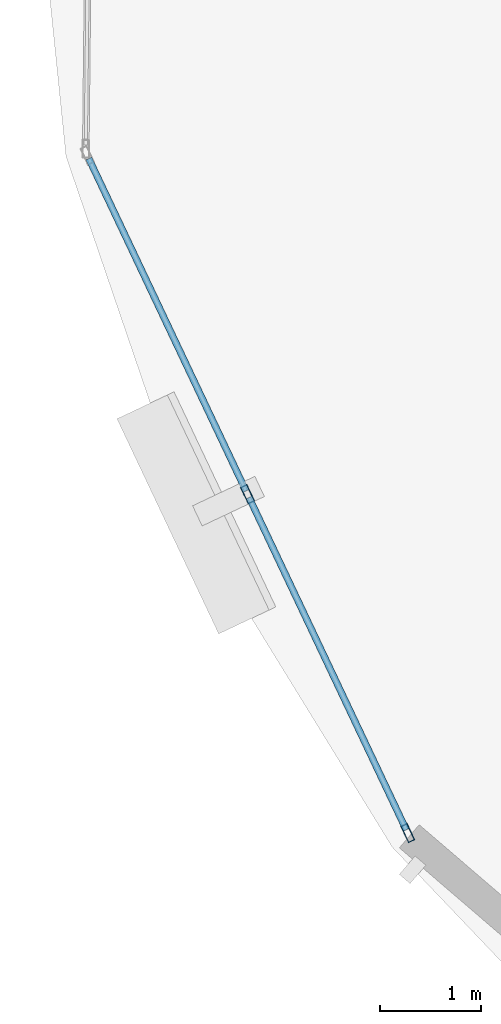
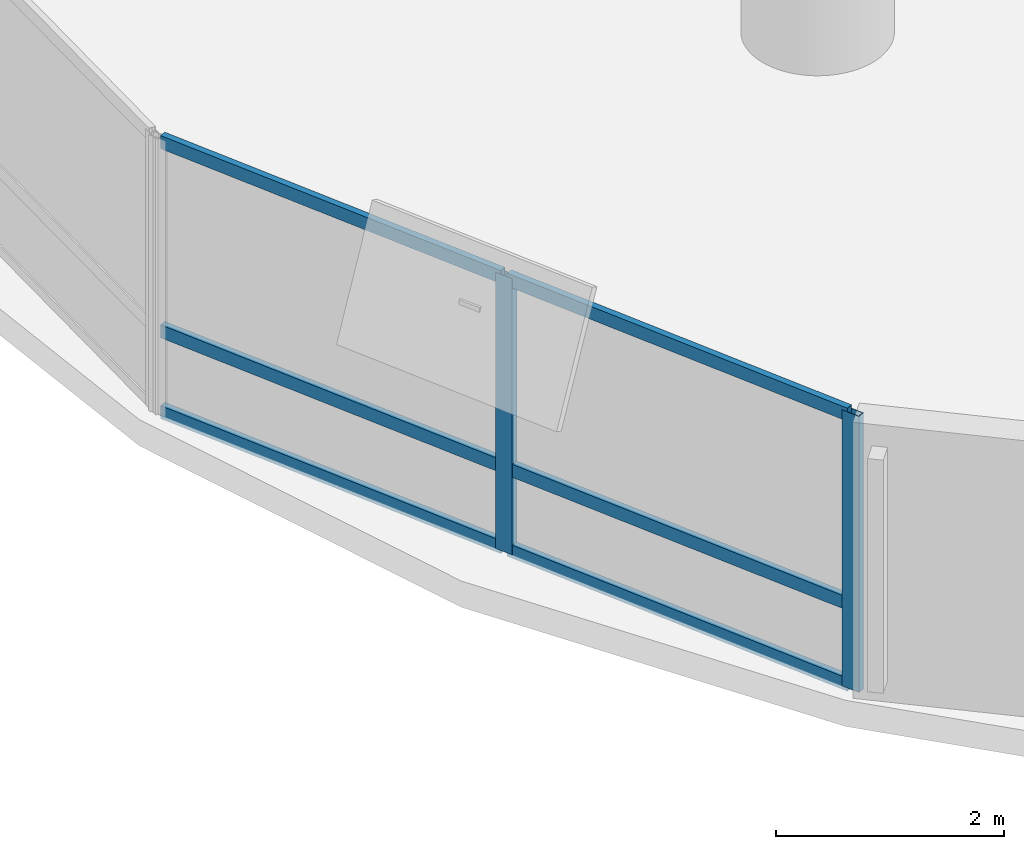
# One storey, part 2 of 17: 8 members, 1 element without a shape of its own.
"""IFC4 building model written with IfcOpenShell, lengths in metres."""

from ifc_helpers import new_model, si_unit, direction, frame, origin, origin_2d, place, context, subcontext, project, spatial, hollow_rectangle, extrude, material, layer, layer_set, material_profile, profile_set, type_object, element, aggregate, save


model = new_model("IFC4")

# Units and contexts
model_context = context("Model", 3, precision=1e-05, world=origin(), true_north=direction((0.0, 1.0)))
body_context = subcontext(model_context, "Body", "Model", "MODEL_VIEW")
ifc_project = project(units=[si_unit("LENGTHUNIT", "METRE"), si_unit("AREAUNIT", "SQUARE_METRE"), si_unit("VOLUMEUNIT", "CUBIC_METRE"), si_unit("PLANEANGLEUNIT", "RADIAN"), si_unit("MASSUNIT", "GRAM", prefix="KILO"), si_unit("THERMODYNAMICTEMPERATUREUNIT", "KELVIN"), si_unit("POWERUNIT", "WATT")], contexts=[model_context])

# Site, building, storey
site_placement = place(None, origin())
site = spatial("IfcSite", under=ifc_project, at=site_placement, CompositionType="ELEMENT")
building_placement = place(site_placement, origin())
building = spatial("IfcBuilding", under=site, at=building_placement, Name="Ocrelia Relay Tower", CompositionType="ELEMENT")
storey_placement = place(building_placement, frame((0.0, 0.0, 84.60009765625)))
storey = spatial("IfcBuildingStorey", under=building, at=storey_placement, Name="L19", CompositionType="ELEMENT", Elevation=84.60009765625)

# Curtain wall, members
ifc_material_1 = material(Name="Aluminium and solar-control low-E glass", Category="aluminium")
ifc_layer = layer(ifc_material_1, 0.179931640625, Name="Aluminium and solar-control low-E glass")
ifc_layer_set = layer_set([ifc_layer], Name="Aluminium and solar-control low-E glass")
curtain_wall_type = type_object("IfcCurtainWallType", Name="CW-SYS-Z1-DATA", PredefinedType="NOTDEFINED", material=ifc_layer_set)
curtain_wall_placement = place(storey_placement, origin())
curtain_wall = element("IfcCurtainWall", 1, at=curtain_wall_placement, inside=storey, type_object=curtain_wall_type, Name="L19 Elliptical Tower Curtain Wall Bay 10", PredefinedType="NOTDEFINED")
ifc_material_2 = material(Name="Anodised bronze aluminium", Category="aluminium")
ifc_material_profile_1 = material_profile(ifc_material_2, hollow_rectangle(XDim=0.070068359375, YDim=0.179931640625, WallThickness=0.006103515625, at=origin_2d()), Name="CW-MUL-180x70")
ifc_profile_set_1 = profile_set([ifc_material_profile_1], Name="Anodised bronze aluminium")
member_type_1 = type_object("IfcMemberType", Name="CW-SYS-Z1-DATA-MUL", PredefinedType="MULLION", material=ifc_profile_set_1)
member_1_placement = place(storey_placement, frame((8.441162109375, 16.675048828125, 0.0), z_axis=(0.0, 0.0, 1.0), x_axis=(0.904007319027, 0.42751697878, 0.0)))
member_1 = element("IfcMember", 2, at=member_1_placement, type_object=member_type_1, Name="CW-Z1 mullion 2", PredefinedType="MULLION", context=body_context, shape_type="SweptSolid", body=[
    extrude(hollow_rectangle(XDim=0.070068359375, YDim=0.179931640625, WallThickness=0.006103515625, at=origin_2d()), origin(), (0.0, 0.0, 1.0), 2.9599609375),
])
member_2_placement = place(storey_placement, frame((10.024169921875, 13.327880859375, 0.0), z_axis=(0.0, 0.0, 1.0), x_axis=(0.904007319027, 0.42751697878, 0.0)))
member_2 = element("IfcMember", 3, at=member_2_placement, type_object=member_type_1, Name="CW-Z1 mullion 3", PredefinedType="MULLION", context=body_context, shape_type="SweptSolid", body=[
    extrude(hollow_rectangle(XDim=0.070068359375, YDim=0.179931640625, WallThickness=0.006103515625, at=origin_2d()), origin(), (0.0, 0.0, 1.0), 2.9599609375),
])
ifc_material_profile_2 = material_profile(ifc_material_2, hollow_rectangle(XDim=0.06494140625, YDim=0.139892578125, WallThickness=0.0048828125, at=origin_2d()), Name="CW-TRN-140x65")
ifc_profile_set_2 = profile_set([ifc_material_profile_2], Name="Anodised bronze aluminium")
member_type_2 = type_object("IfcMemberType", Name="CW-SYS-Z1-DATA-TRN", PredefinedType="USERDEFINED", material=ifc_profile_set_2)
member_3_placement = place(storey_placement, frame((6.873291015625, 19.99072265625, 0.032470703125), z_axis=(0.42750845312, -0.904011350875, 0.0), x_axis=(0.904011350875, 0.42750845312, 0.0)))
member_3 = element("IfcMember", 4, at=member_3_placement, type_object=member_type_2, Name="CW-Z1 transom 1.1", ObjectType="TRANSOM", PredefinedType="USERDEFINED", context=body_context, shape_type="SweptSolid", body=[
    extrude(hollow_rectangle(XDim=0.06494140625, YDim=0.139892578125, WallThickness=0.0048828125, at=origin_2d()), origin(), (0.0, 0.0, 1.0), 3.632568359375),
])
member_4_placement = place(storey_placement, frame((6.873291015625, 19.99072265625, 0.89990234375), z_axis=(0.42750845312, -0.904011350875, 0.0), x_axis=(0.904011350875, 0.42750845312, 0.0)))
member_4 = element("IfcMember", 5, at=member_4_placement, type_object=member_type_2, Name="CW-Z1 transom 1.2", ObjectType="TRANSOM", PredefinedType="USERDEFINED", context=body_context, shape_type="SweptSolid", body=[
    extrude(hollow_rectangle(XDim=0.06494140625, YDim=0.139892578125, WallThickness=0.0048828125, at=origin_2d()), origin(), (0.0, 0.0, 1.0), 3.632568359375),
])
member_5_placement = place(storey_placement, frame((6.873291015625, 19.99072265625, 2.927490234375), z_axis=(0.42750845312, -0.904011350875, 0.0), x_axis=(0.904011350875, 0.42750845312, 0.0)))
member_5 = element("IfcMember", 6, at=member_5_placement, type_object=member_type_2, Name="CW-Z1 transom 1.3", ObjectType="TRANSOM", PredefinedType="USERDEFINED", context=body_context, shape_type="SweptSolid", body=[
    extrude(hollow_rectangle(XDim=0.06494140625, YDim=0.139892578125, WallThickness=0.0048828125, at=origin_2d()), origin(), (0.0, 0.0, 1.0), 3.632568359375),
])
member_6_placement = place(storey_placement, frame((8.456298828125, 16.6435546875, 0.032470703125), z_axis=(0.427482480577, -0.904023632877, 0.0), x_axis=(0.904023632877, 0.427482480577, 0.0)))
member_6 = element("IfcMember", 7, at=member_6_placement, type_object=member_type_2, Name="CW-Z1 transom 2.1", ObjectType="TRANSOM", PredefinedType="USERDEFINED", context=body_context, shape_type="SweptSolid", body=[
    extrude(hollow_rectangle(XDim=0.06494140625, YDim=0.139892578125, WallThickness=0.0048828125, at=origin_2d()), origin(), (0.0, 0.0, 1.0), 3.6328125),
])
member_7_placement = place(storey_placement, frame((8.456298828125, 16.6435546875, 0.89990234375), z_axis=(0.427482480577, -0.904023632877, 0.0), x_axis=(0.904023632877, 0.427482480577, 0.0)))
member_7 = element("IfcMember", 8, at=member_7_placement, type_object=member_type_2, Name="CW-Z1 transom 2.2", ObjectType="TRANSOM", PredefinedType="USERDEFINED", context=body_context, shape_type="SweptSolid", body=[
    extrude(hollow_rectangle(XDim=0.06494140625, YDim=0.139892578125, WallThickness=0.0048828125, at=origin_2d()), origin(), (0.0, 0.0, 1.0), 3.6328125),
])
member_8_placement = place(storey_placement, frame((8.456298828125, 16.6435546875, 2.927490234375), z_axis=(0.427482480577, -0.904023632877, 0.0), x_axis=(0.904023632877, 0.427482480577, 0.0)))
member_8 = element("IfcMember", 9, at=member_8_placement, type_object=member_type_2, Name="CW-Z1 transom 2.3", ObjectType="TRANSOM", PredefinedType="USERDEFINED", context=body_context, shape_type="SweptSolid", body=[
    extrude(hollow_rectangle(XDim=0.06494140625, YDim=0.139892578125, WallThickness=0.0048828125, at=origin_2d()), origin(), (0.0, 0.0, 1.0), 3.6328125),
])
aggregate(curtain_wall, [member_1, member_2, member_3, member_4, member_5, member_6, member_7, member_8])

save(model, "model.ifc")
